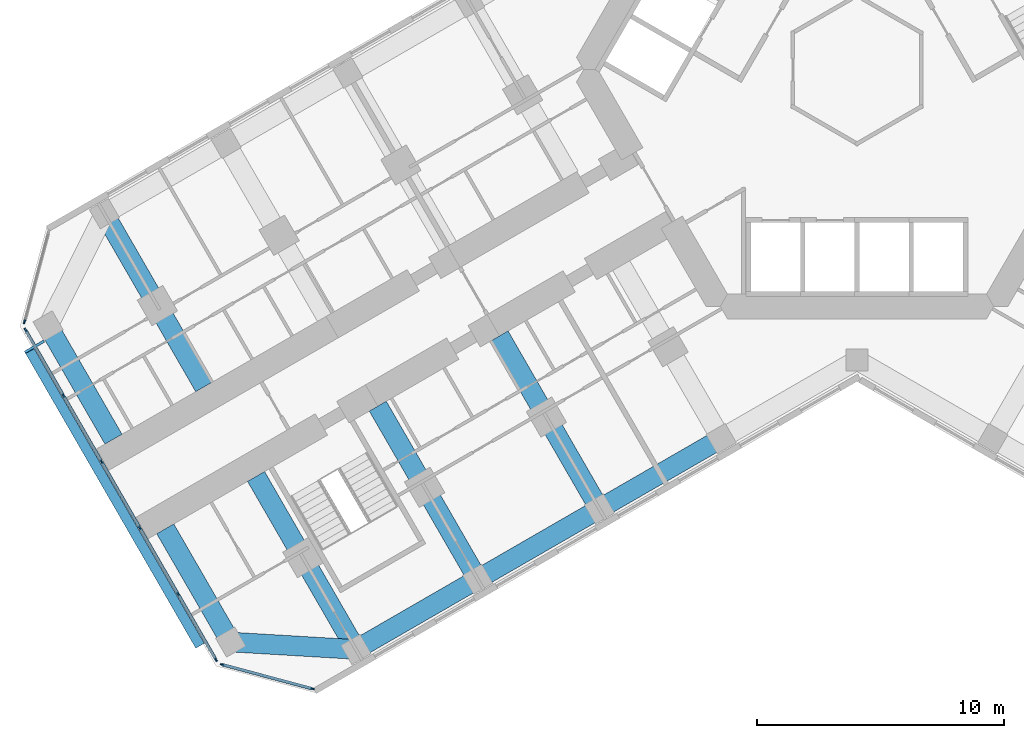
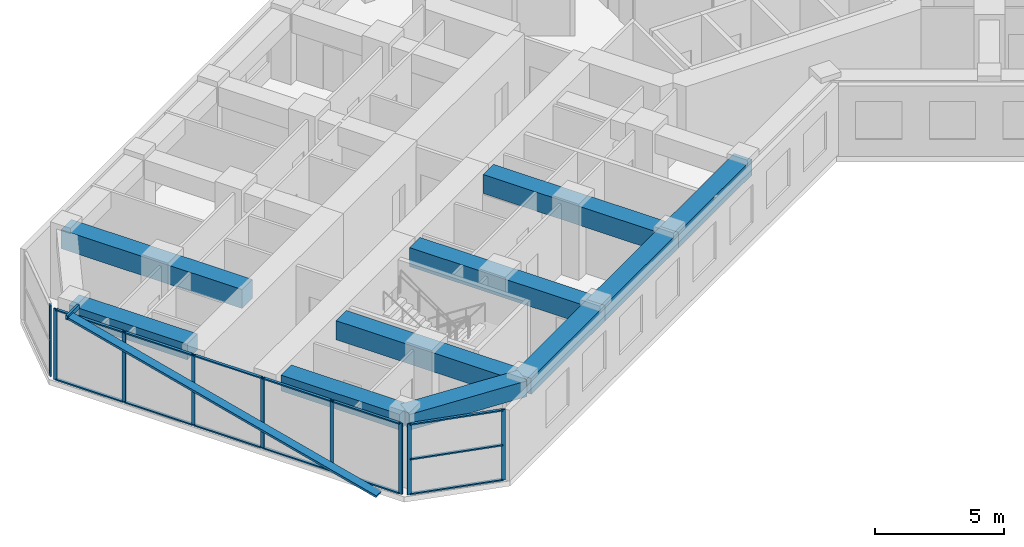
# One storey, part 2 of 21: 24 members, 10 beams, 3 elements without a shape of their own.
"""IFC4 building model written with IfcOpenShell, lengths in metres."""

from ifc_helpers import new_model, si_unit, direction, frame, origin, origin_2d, place, context, subcontext, project, spatial, rectangle, hollow_rectangle, extrude, material, material_profile, profile_set, type_object, element, aggregate, save


model = new_model("IFC4")

# Units and contexts
model_context = context("Model", 3, precision=1e-05, world=origin(), true_north=direction((0.0, 1.0)))
body_context = subcontext(model_context, "Body", "Model", "MODEL_VIEW")
ifc_project = project(units=[si_unit("LENGTHUNIT", "METRE"), si_unit("AREAUNIT", "SQUARE_METRE"), si_unit("VOLUMEUNIT", "CUBIC_METRE"), si_unit("PLANEANGLEUNIT", "RADIAN"), si_unit("MASSUNIT", "GRAM", prefix="KILO")], contexts=[model_context])

# Site, building, storey
site_placement = place(None, origin())
site = spatial("IfcSite", under=ifc_project, at=site_placement, CompositionType="ELEMENT")
building_placement = place(site_placement, origin())
building = spatial("IfcBuilding", under=site, at=building_placement, Name="Kosmar Iwan School Tower", CompositionType="ELEMENT")
storey_placement = place(building_placement, frame((0.0, 0.0, 102.39990234375)))
storey = spatial("IfcBuildingStorey", under=building, at=storey_placement, Name="L25", CompositionType="ELEMENT", Elevation=102.39990234375)

# Members
ifc_material_1 = material(Name="Black anodised aluminium", Category="aluminium")
ifc_material_profile_1 = material_profile(ifc_material_1, rectangle(XDim=0.10009765625, YDim=0.39990234375, at=origin_2d()), Name="FIN 100x400")
ifc_profile_set_1 = profile_set([ifc_material_profile_1], Name="Black anodised aluminium")
member_type_1 = type_object("IfcMemberType", Name="Diagonal fin 100x400", PredefinedType="USERDEFINED", material=ifc_profile_set_1)
member_1_placement = place(storey_placement, frame((-26.645263671875, -23.34912109375, -0.14990234375), z_axis=(-0.483793446988, 0.837970316603, 0.25248692866), x_axis=(0.126241714543, -0.218661104574, 0.96760030532)))
element("IfcMember", 1, at=member_1_placement, inside=storey, type_object=member_type_1, Name="Diagonal fin L25-F13", ObjectType="FIN", PredefinedType="USERDEFINED", context=body_context, shape_type="SweptSolid", body=[
    extrude(rectangle(XDim=0.10009765625, YDim=0.39990234375, at=origin_2d()), origin(), (0.0, 0.0, 1.0), 14.258544921875),
])
ifc_material_2 = material(Name="Steel S355", Category="steel")
ifc_material_profile_2 = material_profile(ifc_material_2, hollow_rectangle(XDim=0.10009765625, YDim=0.199951171875, WallThickness=0.008056640625, at=origin_2d()), Name="RHS 200x100x8")
ifc_profile_set_2 = profile_set([ifc_material_profile_2], Name="Steel S355")
member_type_2 = type_object("IfcMemberType", Name="Fin bracket RHS 200x100", PredefinedType="USERDEFINED", material=ifc_profile_set_2)
member_2_placement = place(storey_placement, frame((-32.963134765625, -11.006103515625, 3.47509765625), z_axis=(-0.866081705922, -0.499902469156, 0.0), x_axis=(0.499902469156, -0.866081705922, 0.0)))
element("IfcMember", 2, at=member_2_placement, inside=storey, type_object=member_type_2, Name="Fin bracket L26", ObjectType="FIN BRACKET", PredefinedType="USERDEFINED", context=body_context, shape_type="SweptSolid", body=[
    extrude(hollow_rectangle(XDim=0.10009765625, YDim=0.199951171875, WallThickness=0.008056640625, at=origin_2d()), origin(), (0.0, 0.0, 1.0), 0.900146484375),
])

# Curtain wall, member
ifc_material_3 = material(Name="Dark glass in black aluminium frame", Category="aluminium")
curtain_wall_type_1 = type_object("IfcCurtainWallType", Name="Chamfer curtain wall dark glass", PredefinedType="USERDEFINED", material=ifc_material_3)
curtain_wall_1_placement = place(storey_placement, origin())
curtain_wall_1 = element("IfcCurtainWall", 3, at=curtain_wall_1_placement, inside=storey, type_object=curtain_wall_type_1, Name="Curtain wall L25-F12", ObjectType="FACETED CURTAIN WALL", PredefinedType="USERDEFINED")
ifc_material_4 = material(Name="Black anodised aluminium", Category="aluminium")
ifc_material_profile_3 = material_profile(ifc_material_4, rectangle(XDim=0.06005859375, YDim=0.159912109375, at=origin_2d()), Name="MULLION 60x160")
ifc_profile_set_3 = profile_set([ifc_material_profile_3], Name="Black anodised aluminium")
member_type_3 = type_object("IfcMemberType", Name="Mullion 60x160", PredefinedType="MULLION", material=ifc_profile_set_3)
member_3_placement = place(storey_placement, frame((-33.7587890625, -10.2236328125, 0.0), z_axis=(0.0, 0.0, 1.0), x_axis=(0.965925875495, -0.258818861462, 0.0)))
member_3 = element("IfcMember", 4, at=member_3_placement, type_object=member_type_3, Name="CW2 mullion 2", PredefinedType="MULLION", context=body_context, shape_type="SweptSolid", body=[
    extrude(rectangle(XDim=0.06005859375, YDim=0.159912109375, at=origin_2d()), origin(), (0.0, 0.0, 1.0), 3.35009765625),
])
aggregate(curtain_wall_1, [member_3])

# Curtain wall, members
ifc_material_5 = material(Name="Dark glass in black aluminium frame", Category="aluminium")
curtain_wall_type_2 = type_object("IfcCurtainWallType", Name="Tower curtain wall dark glass", PredefinedType="USERDEFINED", material=ifc_material_5)
curtain_wall_2_placement = place(storey_placement, origin())
curtain_wall_2 = element("IfcCurtainWall", 5, at=curtain_wall_2_placement, inside=storey, type_object=curtain_wall_type_2, Name="Curtain wall L25-F13", ObjectType="UNITISED CURTAIN WALL", PredefinedType="USERDEFINED")
member_4_placement = place(storey_placement, frame((-33.71533203125, -10.55322265625, 0.0), z_axis=(0.0, 0.0, 1.0), x_axis=(0.866025405329, 0.499999997325, 0.0)))
member_4 = element("IfcMember", 6, at=member_4_placement, type_object=member_type_3, Name="CW1 mullion 1", PredefinedType="MULLION", context=body_context, shape_type="SweptSolid", body=[
    extrude(rectangle(XDim=0.06005859375, YDim=0.159912109375, at=origin_2d()), origin(), (0.0, 0.0, 1.0), 3.35009765625),
])
member_5_placement = place(storey_placement, frame((-32.1806640625, -13.21142578125, 0.0), z_axis=(0.0, 0.0, 1.0), x_axis=(0.866025405329, 0.499999997325, 0.0)))
member_5 = element("IfcMember", 7, at=member_5_placement, type_object=member_type_3, Name="CW1 mullion 2", PredefinedType="MULLION", context=body_context, shape_type="SweptSolid", body=[
    extrude(rectangle(XDim=0.06005859375, YDim=0.159912109375, at=origin_2d()), origin(), (0.0, 0.0, 1.0), 3.35009765625),
])
member_6_placement = place(storey_placement, frame((-30.631103515625, -15.8955078125, 0.0), z_axis=(0.0, 0.0, 1.0), x_axis=(0.866025405329, 0.499999997325, 0.0)))
member_6 = element("IfcMember", 8, at=member_6_placement, type_object=member_type_3, Name="CW1 mullion 3", PredefinedType="MULLION", context=body_context, shape_type="SweptSolid", body=[
    extrude(rectangle(XDim=0.06005859375, YDim=0.159912109375, at=origin_2d()), origin(), (0.0, 0.0, 1.0), 3.35009765625),
])
member_7_placement = place(storey_placement, frame((-29.081298828125, -18.57958984375, 0.0), z_axis=(0.0, 0.0, 1.0), x_axis=(0.866025405329, 0.499999997325, 0.0)))
member_7 = element("IfcMember", 9, at=member_7_placement, type_object=member_type_3, Name="CW1 mullion 4", PredefinedType="MULLION", context=body_context, shape_type="SweptSolid", body=[
    extrude(rectangle(XDim=0.06005859375, YDim=0.159912109375, at=origin_2d()), origin(), (0.0, 0.0, 1.0), 3.35009765625),
])
member_8_placement = place(storey_placement, frame((-27.53173828125, -21.263671875, 0.0), z_axis=(0.0, 0.0, 1.0), x_axis=(0.866025405329, 0.499999997325, 0.0)))
member_8 = element("IfcMember", 10, at=member_8_placement, type_object=member_type_3, Name="CW1 mullion 5", PredefinedType="MULLION", context=body_context, shape_type="SweptSolid", body=[
    extrude(rectangle(XDim=0.06005859375, YDim=0.159912109375, at=origin_2d()), origin(), (0.0, 0.0, 1.0), 3.35009765625),
])
member_9_placement = place(storey_placement, frame((-25.9970703125, -23.921630859375, 0.0), z_axis=(0.0, 0.0, 1.0), x_axis=(0.866025405329, 0.499999997325, 0.0)))
member_9 = element("IfcMember", 11, at=member_9_placement, type_object=member_type_3, Name="CW1 mullion 6", PredefinedType="MULLION", context=body_context, shape_type="SweptSolid", body=[
    extrude(rectangle(XDim=0.06005859375, YDim=0.159912109375, at=origin_2d()), origin(), (0.0, 0.0, 1.0), 3.35009765625),
])

curtain_wall_3_placement = place(storey_placement, origin())
curtain_wall_3 = element("IfcCurtainWall", 12, at=curtain_wall_3_placement, inside=storey, type_object=curtain_wall_type_1, Name="Curtain wall L25-F14", ObjectType="FACETED CURTAIN WALL", PredefinedType="USERDEFINED")
member_10_placement = place(storey_placement, frame((-25.733154296875, -24.124267578125, 0.0), z_axis=(0.0, 0.0, 1.0), x_axis=(0.258818861462, 0.965925875495, 0.0)))
member_10 = element("IfcMember", 13, at=member_10_placement, type_object=member_type_3, Name="CW2 mullion 1", PredefinedType="MULLION", context=body_context, shape_type="SweptSolid", body=[
    extrude(rectangle(XDim=0.06005859375, YDim=0.159912109375, at=origin_2d()), origin(), (0.0, 0.0, 1.0), 3.35009765625),
])
member_11_placement = place(storey_placement, frame((-22.0830078125, -25.102294921875, 0.0), z_axis=(0.0, 0.0, 1.0), x_axis=(0.258818861462, 0.965925875495, 0.0)))
member_11 = element("IfcMember", 14, at=member_11_placement, type_object=member_type_3, Name="CW2 mullion 2", PredefinedType="MULLION", context=body_context, shape_type="SweptSolid", body=[
    extrude(rectangle(XDim=0.06005859375, YDim=0.159912109375, at=origin_2d()), origin(), (0.0, 0.0, 1.0), 3.35009765625),
])

# Beams
ifc_material_6 = material(Name="Concrete C50/60", Category="concrete")
ifc_material_profile_4 = material_profile(ifc_material_6, rectangle(XDim=0.800048828125, YDim=0.75, at=origin_2d()), Name="RC 800x750")
ifc_profile_set_4 = profile_set([ifc_material_profile_4], Name="Concrete C50/60")
beam_type_1 = type_object("IfcBeamType", Name="RC edge beam 800x750", PredefinedType="BEAM", material=ifc_profile_set_4)
beam_1_placement = place(storey_placement, frame((-5.5087890625, -14.95849609375, 2.97509765625), z_axis=(-0.866033658841, -0.49998570155, 0.0), x_axis=(0.49998570155, -0.866033658841, 0.0)))
element("IfcBeam", 15, at=beam_1_placement, inside=storey, type_object=beam_type_1, Name="Edge beam BL2", PredefinedType="BEAM", context=body_context, shape_type="SweptSolid", body=[
    extrude(rectangle(XDim=0.800048828125, YDim=0.75, at=origin_2d()), origin(), (0.0, 0.0, 1.0), 5.699951171875),
])
beam_2_placement = place(storey_placement, frame((-10.445068359375, -17.808349609375, 2.97509765625), z_axis=(-0.866025820012, -0.499999279071, 0.0), x_axis=(0.499999279071, -0.866025820012, 0.0)))
element("IfcBeam", 16, at=beam_2_placement, inside=storey, type_object=beam_type_1, Name="Edge beam BL3", PredefinedType="BEAM", context=body_context, shape_type="SweptSolid", body=[
    extrude(rectangle(XDim=0.800048828125, YDim=0.75, at=origin_2d()), origin(), (0.0, 0.0, 1.0), 5.7001953125),
])
beam_3_placement = place(storey_placement, frame((-15.381591796875, -20.658447265625, 2.97509765625), z_axis=(-0.866015111908, -0.50001782563, 0.0), x_axis=(0.50001782563, -0.866015111908, 0.0)))
element("IfcBeam", 17, at=beam_3_placement, inside=storey, type_object=beam_type_1, Name="Edge beam BL4", PredefinedType="BEAM", context=body_context, shape_type="SweptSolid", body=[
    extrude(rectangle(XDim=0.800048828125, YDim=0.75, at=origin_2d()), origin(), (0.0, 0.0, 1.0), 5.699951171875),
])
ifc_material_7 = material(Name="Concrete C50/60", Category="concrete")
ifc_material_profile_5 = material_profile(ifc_material_7, rectangle(XDim=0.800048828125, YDim=0.75, at=origin_2d()), Name="RC 800x750")
ifc_profile_set_5 = profile_set([ifc_material_profile_5], Name="Concrete C50/60")
beam_type_2 = type_object("IfcBeamType", Name="RC tip beam 800x750", PredefinedType="BEAM", material=ifc_profile_set_5)
beam_4_placement = place(storey_placement, frame((-20.31787109375, -23.508544921875, 2.97509765625), z_axis=(-0.998260616478, 0.058955420358, 0.0), x_axis=(-0.058955420358, -0.998260616478, 0.0)))
element("IfcBeam", 18, at=beam_4_placement, inside=storey, type_object=beam_type_2, Name="Tip beam BL", PredefinedType="BEAM", context=body_context, shape_type="SweptSolid", body=[
    extrude(rectangle(XDim=0.800048828125, YDim=0.75, at=origin_2d()), origin(), (0.0, 0.0, 1.0), 5.08935546875),
])
beam_5_placement = place(storey_placement, frame((-25.3984375, -23.20849609375, 2.97509765625), z_axis=(-0.499993606316, 0.866029095148, 0.0), x_axis=(-0.866029095148, -0.499993606316, 0.0)))
element("IfcBeam", 19, at=beam_5_placement, inside=storey, type_object=beam_type_2, Name="Tip beam BL to corridor wall", PredefinedType="BEAM", context=body_context, shape_type="SweptSolid", body=[
    extrude(rectangle(XDim=0.800048828125, YDim=0.75, at=origin_2d()), origin(), (0.0, 0.0, 1.0), 5.2998046875),
])
beam_6_placement = place(storey_placement, frame((-32.79833984375, -10.391357421875, 2.97509765625), z_axis=(0.499973660256, -0.866040610509, 0.0), x_axis=(0.866040610509, 0.499973660256, 0.0)))
element("IfcBeam", 20, at=beam_6_placement, inside=storey, type_object=beam_type_2, Name="Tip beam BR to corridor wall", PredefinedType="BEAM", context=body_context, shape_type="SweptSolid", body=[
    extrude(rectangle(XDim=0.800048828125, YDim=0.75, at=origin_2d()), origin(), (0.0, 0.0, 1.0), 5.300048828125),
])
ifc_material_8 = material(Name="Concrete C50/60", Category="concrete")
ifc_material_profile_6 = material_profile(ifc_material_8, rectangle(XDim=0.800048828125, YDim=0.89990234375, at=origin_2d()), Name="RC 800x900")
ifc_profile_set_6 = profile_set([ifc_material_profile_6], Name="Concrete C50/60")
beam_type_3 = type_object("IfcBeamType", Name="RC transverse beam 800x900", PredefinedType="BEAM", material=ifc_profile_set_6)
beam_7_placement = place(storey_placement, frame((-10.445068359375, -17.808349609375, 2.900146484375), z_axis=(-0.500012932018, 0.866017937352, 0.0), x_axis=(-0.866017937352, -0.500012932018, 0.0)))
element("IfcBeam", 21, at=beam_7_placement, inside=storey, type_object=beam_type_3, Name="Transverse beam BL2", PredefinedType="BEAM", context=body_context, shape_type="SweptSolid", body=[
    extrude(rectangle(XDim=0.800048828125, YDim=0.89990234375, at=origin_2d()), origin(), (0.0, 0.0, 1.0), 8.099853515625),
])
for number, where, z_axis, x_axis, name in (
    (22, (-15.381591796875, -20.658447265625, 2.900146484375), (-0.499977274689, 0.866038523851, 0.0), (-0.866038523851, -0.499977274689, 0.0), "Transverse beam BL3"),
    (23, (-20.31787109375, -23.508544921875, 2.900146484375), (-0.499999880539, 0.866025472755, 0.0), (-0.866025472755, -0.499999880539, 0.0), "Transverse beam BL4"),
    (24, (-30.517822265625, -5.841552734375, 2.900146484375), (0.499999880539, -0.866025472755, 0.0), (0.866025472755, 0.499999880539, 0.0), "Transverse beam BR4"),
):
    element("IfcBeam", number, at=place(storey_placement, frame(where, z_axis=z_axis, x_axis=x_axis)), inside=storey, type_object=beam_type_3, Name=name, PredefinedType="BEAM", context=body_context, shape_type="SweptSolid", body=[
        extrude(rectangle(XDim=0.800048828125, YDim=0.89990234375, at=origin_2d()), origin(), (0.0, 0.0, 1.0), 8.10009765625),
    ])

# Member
ifc_material_9 = material(Name="Black anodised aluminium", Category="aluminium")
ifc_material_profile_7 = material_profile(ifc_material_9, rectangle(XDim=0.1201171875, YDim=0.06005859375, at=origin_2d()), Name="TRANSOM 60x120")
ifc_profile_set_7 = profile_set([ifc_material_profile_7], Name="Black anodised aluminium")
member_type_4 = type_object("IfcMemberType", Name="Transom 60x120", PredefinedType="USERDEFINED", material=ifc_profile_set_7)
member_12_placement = place(storey_placement, frame((-33.700439453125, -10.579345703125, 0.030029296875), z_axis=(0.500022102064, -0.866012642776, 0.0), x_axis=(0.866012642776, 0.500022102064, 0.0)))
member_12 = element("IfcMember", 25, at=member_12_placement, type_object=member_type_4, Name="CW1 transom 1.1", ObjectType="TRANSOM", PredefinedType="USERDEFINED", context=body_context, shape_type="SweptSolid", body=[
    extrude(rectangle(XDim=0.1201171875, YDim=0.06005859375, at=origin_2d()), origin(), (0.0, 0.0, 1.0), 3.009033203125),
])

member_13_placement = place(storey_placement, frame((-33.700439453125, -10.579345703125, 3.320068359375), z_axis=(0.500022102064, -0.866012642776, 0.0), x_axis=(0.866012642776, 0.500022102064, 0.0)))
member_13 = element("IfcMember", 26, at=member_13_placement, type_object=member_type_4, Name="CW1 transom 1.2", ObjectType="TRANSOM", PredefinedType="USERDEFINED", context=body_context, shape_type="SweptSolid", body=[
    extrude(rectangle(XDim=0.1201171875, YDim=0.06005859375, at=origin_2d()), origin(), (0.0, 0.0, 1.0), 3.009033203125),
])

member_14_placement = place(storey_placement, frame((-32.165771484375, -13.2373046875, 0.030029296875), z_axis=(0.500035348339, -0.866004994449, 0.0), x_axis=(0.866004994449, 0.500035348339, 0.0)))
member_14 = element("IfcMember", 27, at=member_14_placement, type_object=member_type_4, Name="CW1 transom 2.1", ObjectType="TRANSOM", PredefinedType="USERDEFINED", context=body_context, shape_type="SweptSolid", body=[
    extrude(rectangle(XDim=0.1201171875, YDim=0.06005859375, at=origin_2d()), origin(), (0.0, 0.0, 1.0), 3.039306640625),
])

member_15_placement = place(storey_placement, frame((-32.165771484375, -13.2373046875, 3.320068359375), z_axis=(0.500035348339, -0.866004994449, 0.0), x_axis=(0.866004994449, 0.500035348339, 0.0)))
member_15 = element("IfcMember", 28, at=member_15_placement, type_object=member_type_4, Name="CW1 transom 2.2", ObjectType="TRANSOM", PredefinedType="USERDEFINED", context=body_context, shape_type="SweptSolid", body=[
    extrude(rectangle(XDim=0.1201171875, YDim=0.06005859375, at=origin_2d()), origin(), (0.0, 0.0, 1.0), 3.039306640625),
])

member_16_placement = place(storey_placement, frame((-30.615966796875, -15.92138671875, 0.030029296875), z_axis=(0.499975102327, -0.866039777986, 0.0), x_axis=(0.866039777986, 0.499975102327, 0.0)))
member_16 = element("IfcMember", 29, at=member_16_placement, type_object=member_type_4, Name="CW1 transom 3.1", ObjectType="TRANSOM", PredefinedType="USERDEFINED", context=body_context, shape_type="SweptSolid", body=[
    extrude(rectangle(XDim=0.1201171875, YDim=0.06005859375, at=origin_2d()), origin(), (0.0, 0.0, 1.0), 3.039306640625),
])

member_17_placement = place(storey_placement, frame((-30.615966796875, -15.92138671875, 3.320068359375), z_axis=(0.499975102327, -0.866039777986, 0.0), x_axis=(0.866039777986, 0.499975102327, 0.0)))
member_17 = element("IfcMember", 30, at=member_17_placement, type_object=member_type_4, Name="CW1 transom 3.2", ObjectType="TRANSOM", PredefinedType="USERDEFINED", context=body_context, shape_type="SweptSolid", body=[
    extrude(rectangle(XDim=0.1201171875, YDim=0.06005859375, at=origin_2d()), origin(), (0.0, 0.0, 1.0), 3.039306640625),
])

member_18_placement = place(storey_placement, frame((-29.06640625, -18.60546875, 0.030029296875), z_axis=(0.499975102327, -0.866039777986, 0.0), x_axis=(0.866039777986, 0.499975102327, 0.0)))
member_18 = element("IfcMember", 31, at=member_18_placement, type_object=member_type_4, Name="CW1 transom 4.1", ObjectType="TRANSOM", PredefinedType="USERDEFINED", context=body_context, shape_type="SweptSolid", body=[
    extrude(rectangle(XDim=0.1201171875, YDim=0.06005859375, at=origin_2d()), origin(), (0.0, 0.0, 1.0), 3.039306640625),
])

member_19_placement = place(storey_placement, frame((-29.06640625, -18.60546875, 3.320068359375), z_axis=(0.499975102327, -0.866039777986, 0.0), x_axis=(0.866039777986, 0.499975102327, 0.0)))
member_19 = element("IfcMember", 32, at=member_19_placement, type_object=member_type_4, Name="CW1 transom 4.2", ObjectType="TRANSOM", PredefinedType="USERDEFINED", context=body_context, shape_type="SweptSolid", body=[
    extrude(rectangle(XDim=0.1201171875, YDim=0.06005859375, at=origin_2d()), origin(), (0.0, 0.0, 1.0), 3.039306640625),
])

member_20_placement = place(storey_placement, frame((-27.516845703125, -21.28955078125, 0.030029296875), z_axis=(0.499986971506, -0.866032925658, 0.0), x_axis=(0.866032925658, 0.499986971506, 0.0)))
member_20 = element("IfcMember", 33, at=member_20_placement, type_object=member_type_4, Name="CW1 transom 5.1", ObjectType="TRANSOM", PredefinedType="USERDEFINED", context=body_context, shape_type="SweptSolid", body=[
    extrude(rectangle(XDim=0.1201171875, YDim=0.06005859375, at=origin_2d()), origin(), (0.0, 0.0, 1.0), 3.00927734375),
])

member_21_placement = place(storey_placement, frame((-27.516845703125, -21.28955078125, 3.320068359375), z_axis=(0.499986971506, -0.866032925658, 0.0), x_axis=(0.866032925658, 0.499986971506, 0.0)))
member_21 = element("IfcMember", 34, at=member_21_placement, type_object=member_type_4, Name="CW1 transom 5.2", ObjectType="TRANSOM", PredefinedType="USERDEFINED", context=body_context, shape_type="SweptSolid", body=[
    extrude(rectangle(XDim=0.1201171875, YDim=0.06005859375, at=origin_2d()), origin(), (0.0, 0.0, 1.0), 3.00927734375),
])

aggregate(curtain_wall_2, [member_4, member_5, member_6, member_7, member_8, member_9, member_12, member_13, member_14, member_15, member_16, member_17, member_18, member_19, member_20, member_21])

member_22_placement = place(storey_placement, frame((-25.704345703125, -24.1318359375, 0.030029296875), z_axis=(0.965923731726, -0.258826861991, 0.0), x_axis=(0.258826861991, 0.965923731726, 0.0)))
member_22 = element("IfcMember", 35, at=member_22_placement, type_object=member_type_4, Name="CW2 transom 1.1", ObjectType="TRANSOM", PredefinedType="USERDEFINED", context=body_context, shape_type="SweptSolid", body=[
    extrude(rectangle(XDim=0.1201171875, YDim=0.06005859375, at=origin_2d()), origin(), (0.0, 0.0, 1.0), 3.71923828125),
])

member_23_placement = place(storey_placement, frame((-25.704345703125, -24.1318359375, 1.675048828125), z_axis=(0.965923731726, -0.258826861991, 0.0), x_axis=(0.258826861991, 0.965923731726, 0.0)))
member_23 = element("IfcMember", 36, at=member_23_placement, type_object=member_type_4, Name="CW2 transom 1.2", ObjectType="TRANSOM", PredefinedType="USERDEFINED", context=body_context, shape_type="SweptSolid", body=[
    extrude(rectangle(XDim=0.1201171875, YDim=0.06005859375, at=origin_2d()), origin(), (0.0, 0.0, 1.0), 3.71923828125),
])

member_24_placement = place(storey_placement, frame((-25.704345703125, -24.1318359375, 3.320068359375), z_axis=(0.965923731726, -0.258826861991, 0.0), x_axis=(0.258826861991, 0.965923731726, 0.0)))
member_24 = element("IfcMember", 37, at=member_24_placement, type_object=member_type_4, Name="CW2 transom 1.3", ObjectType="TRANSOM", PredefinedType="USERDEFINED", context=body_context, shape_type="SweptSolid", body=[
    extrude(rectangle(XDim=0.1201171875, YDim=0.06005859375, at=origin_2d()), origin(), (0.0, 0.0, 1.0), 3.71923828125),
])

aggregate(curtain_wall_3, [member_10, member_11, member_22, member_23, member_24])

save(model, "model.ifc")
